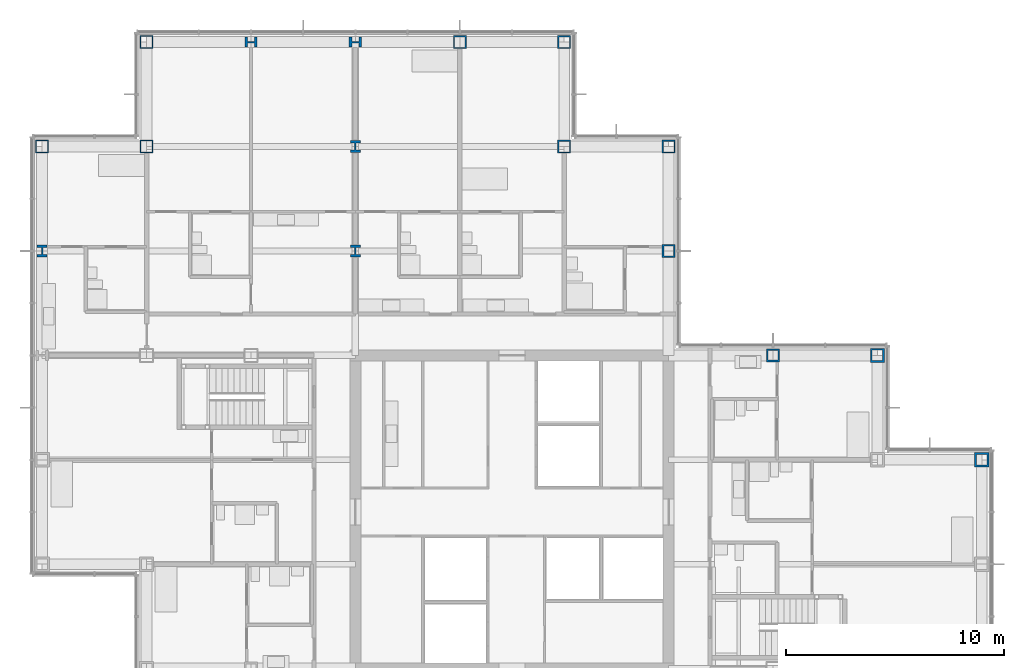
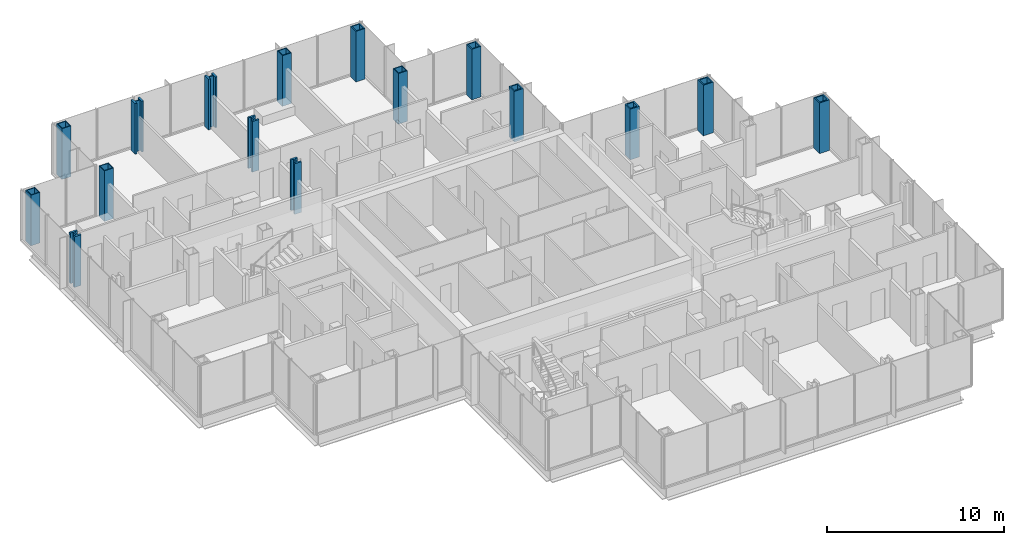
# One storey, part 5 of 20: 16 columns.
"""IFC4 building model written with IfcOpenShell, lengths in metres."""

from ifc_helpers import new_model, si_unit, direction, frame, origin, origin_2d, place, context, subcontext, project, spatial, hollow_rectangle, i_section, extrude, material, material_profile, profile_set, type_object, element, save


model = new_model("IFC4")

# Units and contexts
model_context = context("Model", 3, precision=1e-05, world=origin(), true_north=direction((0.0, 1.0)))
body_context = subcontext(model_context, "Body", "Model", "MODEL_VIEW")
ifc_project = project(units=[si_unit("LENGTHUNIT", "METRE"), si_unit("AREAUNIT", "SQUARE_METRE"), si_unit("VOLUMEUNIT", "CUBIC_METRE"), si_unit("PLANEANGLEUNIT", "RADIAN"), si_unit("MASSUNIT", "GRAM", prefix="KILO")], contexts=[model_context])

# Site, building, storey
site_placement = place(None, origin())
site = spatial("IfcSite", under=ifc_project, at=site_placement, CompositionType="ELEMENT")
building_placement = place(site_placement, origin())
building = spatial("IfcBuilding", under=site, at=building_placement, Name="Kvirike Care Tower", CompositionType="ELEMENT")
storey_placement = place(building_placement, frame((0.0, 0.0, 94.5)))
storey = spatial("IfcBuildingStorey", under=building, at=storey_placement, Name="L25", CompositionType="ELEMENT", Elevation=94.5)

# Columns
ifc_material_1 = material(Name="Steel S460", Category="steel")
ifc_material_profile_1 = material_profile(ifc_material_1, hollow_rectangle(XDim=0.60009765625, YDim=0.60009765625, WallThickness=0.050048828125, at=origin_2d()), Name="BX 600x600x50")
ifc_profile_set_1 = profile_set([ifc_material_profile_1], Name="Steel S460")
column_type_1 = type_object("IfcColumnType", Name="COLUMN BX 600x600x50", PredefinedType="COLUMN", material=ifc_profile_set_1)
for number, where, z_axis, x_axis, name in (
    (1, (0.0, 52.800048828125, 0.0), (0.0, 0.0, 1.0), (0.0, 1.0, 0.0), "Column M3 L25"),
    (2, (4.800048828125, 52.800048828125, 0.0), (0.0, 0.0, 1.0), (0.0, 1.0, 0.0), "Column M4 L25"),
    (3, (4.800048828125, 57.60009765625, 0.0), (0.0, 0.0, 1.0), (0.0, 1.0, 0.0), "Column N4 L25"),
):
    element("IfcColumn", number, at=place(storey_placement, frame(where, z_axis=z_axis, x_axis=x_axis)), inside=storey, type_object=column_type_1, Name=name, PredefinedType="COLUMN", context=body_context, shape_type="SweptSolid", body=[
        extrude(hollow_rectangle(XDim=0.60009765625, YDim=0.60009765625, WallThickness=0.050048828125, at=origin_2d()), origin(), (0.0, 0.0, 1.0), 3.5),
    ])
ifc_material_2 = material(Name="Steel S460", Category="steel")
ifc_material_profile_2 = material_profile(ifc_material_2, hollow_rectangle(XDim=0.60009765625, YDim=0.60009765625, WallThickness=0.06005859375, at=origin_2d()), Name="BX 600x600x60")
ifc_profile_set_2 = profile_set([ifc_material_profile_2], Name="Steel S460")
column_type_2 = type_object("IfcColumnType", Name="COLUMN BX 600x600x60", PredefinedType="COLUMN", material=ifc_profile_set_2)
for number, where, z_axis, x_axis, name in (
    (4, (19.199951171875, 57.60009765625, 0.0), (0.0, 0.0, 1.0), (0.0, 1.0, 0.0), "Column N7 L25"),
    (5, (24.0, 52.800048828125, 0.0), (0.0, 0.0, 1.0), (0.0, 1.0, 0.0), "Column M8 L25"),
    (6, (24.0, 57.60009765625, 0.0), (0.0, 0.0, 1.0), (0.0, 1.0, 0.0), "Column N8 L25"),
    (7, (28.800048828125, 52.800048828125, 0.0), (0.0, 0.0, 1.0), (0.0, 1.0, 0.0), "Column M9 L25"),
):
    element("IfcColumn", number, at=place(storey_placement, frame(where, z_axis=z_axis, x_axis=x_axis)), inside=storey, type_object=column_type_2, Name=name, PredefinedType="COLUMN", context=body_context, shape_type="SweptSolid", body=[
        extrude(hollow_rectangle(XDim=0.60009765625, YDim=0.60009765625, WallThickness=0.06005859375, at=origin_2d()), origin(), (0.0, 0.0, 1.0), 3.5),
    ])
ifc_material_3 = material(Name="Steel S460", Category="steel")
ifc_material_profile_3 = material_profile(ifc_material_3, hollow_rectangle(XDim=0.60009765625, YDim=0.60009765625, WallThickness=0.080078125, at=origin_2d()), Name="BX 600x600x80")
ifc_profile_set_3 = profile_set([ifc_material_profile_3], Name="Steel S460")
column_type_3 = type_object("IfcColumnType", Name="COLUMN BX 600x600x80", PredefinedType="COLUMN", material=ifc_profile_set_3)
for number, where, z_axis, x_axis, name in (
    (8, (28.800048828125, 48.0, 0.0), (0.0, 0.0, 1.0), (1.0, 0.0, 0.0), "Column L9 L25"),
    (9, (33.60009765625, 43.199951171875, 0.0), (0.0, 0.0, 1.0), (0.0, 1.0, 0.0), "Column K10 L25"),
):
    element("IfcColumn", number, at=place(storey_placement, frame(where, z_axis=z_axis, x_axis=x_axis)), inside=storey, type_object=column_type_3, Name=name, PredefinedType="COLUMN", context=body_context, shape_type="SweptSolid", body=[
        extrude(hollow_rectangle(XDim=0.60009765625, YDim=0.60009765625, WallThickness=0.080078125, at=origin_2d()), origin(), (0.0, 0.0, 1.0), 3.5),
    ])
ifc_material_4 = material(Name="Steel S460", Category="steel")
ifc_material_profile_4 = material_profile(ifc_material_4, hollow_rectangle(XDim=0.64990234375, YDim=0.64990234375, WallThickness=0.080078125, at=origin_2d()), Name="BX 650x650x80")
ifc_profile_set_4 = profile_set([ifc_material_profile_4], Name="Steel S460")
column_type_4 = type_object("IfcColumnType", Name="COLUMN BX 650x650x80", PredefinedType="COLUMN", material=ifc_profile_set_4)
for number, where, z_axis, x_axis, name in (
    (10, (38.39990234375, 43.199951171875, 0.0), (0.0, 0.0, 1.0), (0.0, 1.0, 0.0), "Column K11 L25"),
    (11, (43.199951171875, 38.39990234375, 0.0), (0.0, 0.0, 1.0), (0.0, 1.0, 0.0), "Column J12 L25"),
):
    element("IfcColumn", number, at=place(storey_placement, frame(where, z_axis=z_axis, x_axis=x_axis)), inside=storey, type_object=column_type_4, Name=name, PredefinedType="COLUMN", context=body_context, shape_type="SweptSolid", body=[
        extrude(hollow_rectangle(XDim=0.64990234375, YDim=0.64990234375, WallThickness=0.080078125, at=origin_2d()), origin(), (0.0, 0.0, 1.0), 3.5),
    ])
ifc_material_5 = material(Name="Steel S460", Category="steel")
ifc_material_profile_5 = material_profile(ifc_material_5, i_section(OverallWidth=0.4541015625, OverallDepth=0.569091796875, WebThickness=0.077880859375, FlangeThickness=0.125, FilletRadius=0.014892578125, at=origin_2d()), Name="HD 400x1086")
ifc_profile_set_5 = profile_set([ifc_material_profile_5], Name="Steel S460")
column_type_5 = type_object("IfcColumnType", Name="COLUMN HD 400x1086", PredefinedType="COLUMN", material=ifc_profile_set_5)
for number, where, z_axis, x_axis, name in (
    (12, (0.0, 48.0, 0.0), (0.0, 0.0, 1.0), (1.0, 0.0, 0.0), "Column L3 L25"),
    (13, (9.60009765625, 57.60009765625, 0.0), (0.0, 0.0, 1.0), (0.0, 1.0, 0.0), "Column N5 L25"),
    (14, (14.39990234375, 57.60009765625, 0.0), (0.0, 0.0, 1.0), (0.0, 1.0, 0.0), "Column N6 L25"),
):
    element("IfcColumn", number, at=place(storey_placement, frame(where, z_axis=z_axis, x_axis=x_axis)), inside=storey, type_object=column_type_5, Name=name, PredefinedType="COLUMN", context=body_context, shape_type="SweptSolid", body=[
        extrude(i_section(OverallWidth=0.4541015625, OverallDepth=0.569091796875, WebThickness=0.077880859375, FlangeThickness=0.125, FilletRadius=0.014892578125, at=origin_2d()), origin(), (0.0, 0.0, 1.0), 3.5),
    ])
ifc_material_6 = material(Name="Steel S460", Category="steel")
ifc_material_profile_6 = material_profile(ifc_material_6, i_section(OverallWidth=0.447998046875, OverallDepth=0.550048828125, WebThickness=0.072021484375, FlangeThickness=0.114990234375, FilletRadius=0.014892578125, at=origin_2d()), Name="HD 400x990")
ifc_profile_set_6 = profile_set([ifc_material_profile_6], Name="Steel S460")
column_type_6 = type_object("IfcColumnType", Name="COLUMN HD 400x990", PredefinedType="COLUMN", material=ifc_profile_set_6)
for number, where, z_axis, x_axis, name in (
    (15, (14.39990234375, 48.0, 0.0), (0.0, 0.0, 1.0), (1.0, 0.0, 0.0), "Column L6 L25"),
    (16, (14.39990234375, 52.800048828125, 0.0), (0.0, 0.0, 1.0), (1.0, 0.0, 0.0), "Column M6 L25"),
):
    element("IfcColumn", number, at=place(storey_placement, frame(where, z_axis=z_axis, x_axis=x_axis)), inside=storey, type_object=column_type_6, Name=name, PredefinedType="COLUMN", context=body_context, shape_type="SweptSolid", body=[
        extrude(i_section(OverallWidth=0.447998046875, OverallDepth=0.550048828125, WebThickness=0.072021484375, FlangeThickness=0.114990234375, FilletRadius=0.014892578125, at=origin_2d()), origin(), (0.0, 0.0, 1.0), 3.5),
    ])

save(model, "model.ifc")
